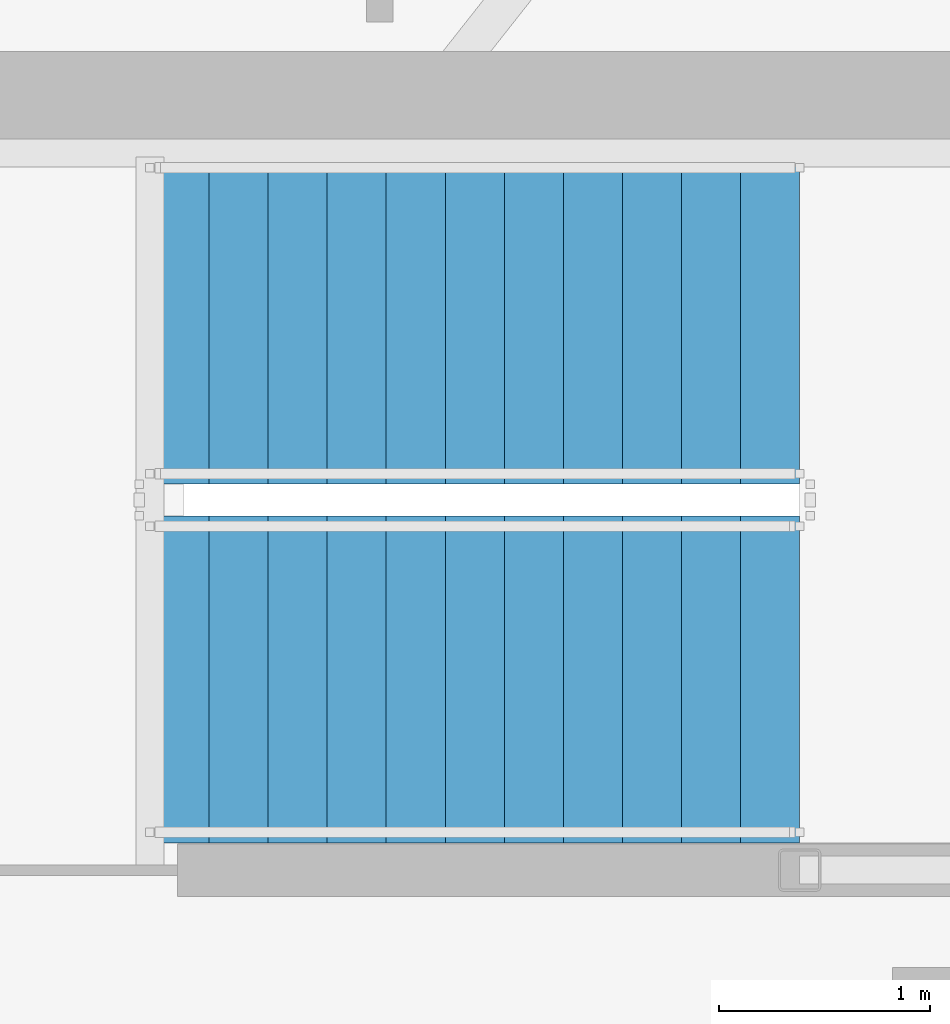
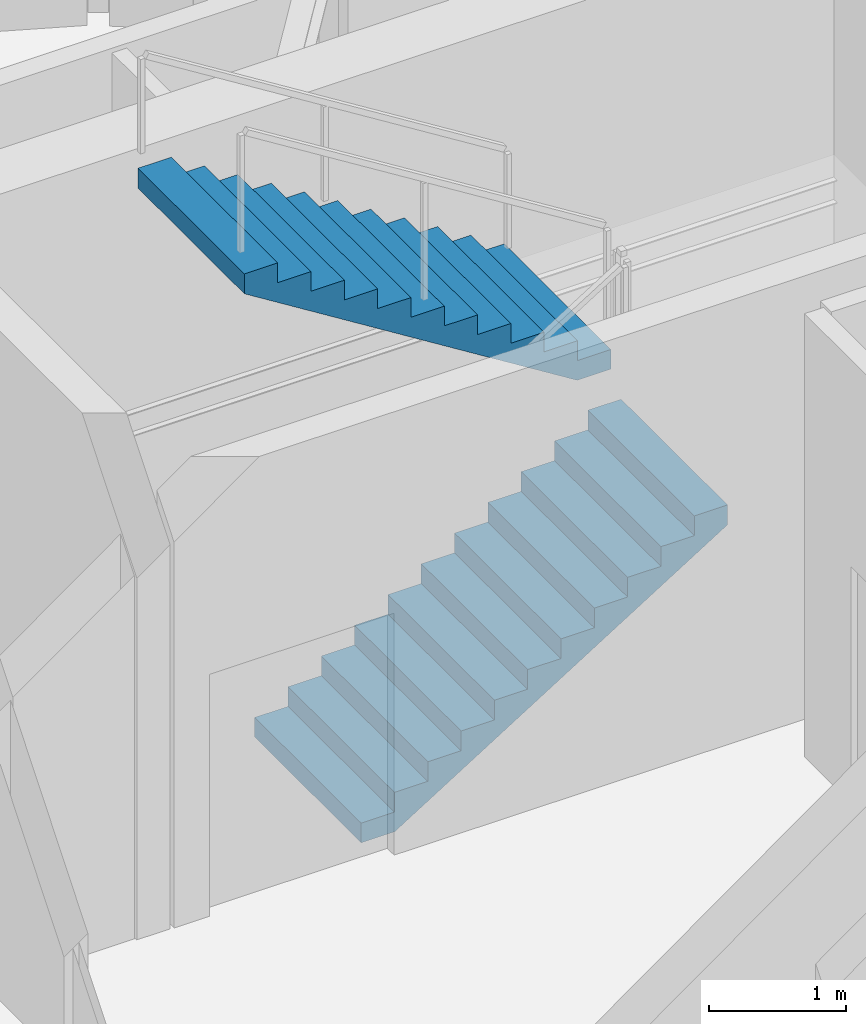
# One storey, part 15 of 16: 2 stair flights, 1 element without a shape of its own.
"""IFC4 building model written with IfcOpenShell, lengths in metres."""

import ifcopenshell
import ifcopenshell.guid

model = None  # the IFC model being written
_history = None  # IfcOwnerHistory: only IFC2X3 demands one
_inside = {}  # id of a spatial element -> (the spatial element, [elements in it])
_under = {}  # id of a project, library or spatial element -> (it, [spatial elements below it])
_declared = {}  # id of a project -> (the project, [libraries it declares])
_typed = {}  # id of a type object -> (the type object, [elements of that type])
_made_of = {}  # id of a material, layer set ... -> (it, [elements and type objects made of it])


def new_model(schema):
    """Start an empty IFC model of exactly this schema.

    Asked for "IFC4X3", IfcOpenShell would pick the latest addendum, in which some entities
    have other attributes; the version numbers below select the first issue.
    IFC2X3 requires an IfcOwnerHistory on every rooted entity: one is made here for all.
    """
    global model, _history
    if schema == "IFC4X3":
        model = ifcopenshell.file(schema_version=(4, 3, 0, 0))
    else:
        model = ifcopenshell.file(schema=schema)
    _inside.clear()
    _under.clear()
    _declared.clear()
    _typed.clear()
    _made_of.clear()
    _history = None
    if model.schema == "IFC2X3":
        org = make("IfcOrganization", Name="unknown")
        user = make(
            "IfcPersonAndOrganization",
            ThePerson=make("IfcPerson", FamilyName="unknown"),
            TheOrganization=org,
        )
        app = make(
            "IfcApplication",
            ApplicationDeveloper=org,
            Version="unknown",
            ApplicationFullName="unknown",
            ApplicationIdentifier="unknown",
        )
        _history = make(
            "IfcOwnerHistory",
            OwningUser=user,
            OwningApplication=app,
            ChangeAction="ADDED",
            CreationDate=0,
        )
    return model


def make(cls, **values):
    """One entity of the class cls with the attributes given. An attribute that is None is left unset."""
    return model.create_entity(
        cls, **{name: value for name, value in values.items() if value is not None}
    )


def rooted(cls, **values):
    """An entity with a GlobalId (a new one), such as an element, a storey or a relation."""
    return make(cls, GlobalId=ifcopenshell.guid.new(), OwnerHistory=_history, **values)


def si_unit(unit_type, name, prefix=None):
    """IfcSIUnit, for example si_unit("LENGTHUNIT", "METRE", prefix="MILLI")."""
    return make("IfcSIUnit", UnitType=unit_type, Prefix=prefix, Name=name)


def assignment(units):
    """IfcUnitAssignment: the units of a project."""
    return None if units is None else make("IfcUnitAssignment", Units=units)


def point(xyz):
    """IfcCartesianPoint."""
    return None if xyz is None else make("IfcCartesianPoint", Coordinates=xyz)


def direction(xyz):
    """IfcDirection."""
    return None if xyz is None else make("IfcDirection", DirectionRatios=xyz)


def frame(location, z_axis=None, x_axis=None):
    """IfcAxis2Placement3D, a coordinate frame: its origin and axes. An axis left out is left unset."""
    return make(
        "IfcAxis2Placement3D",
        Location=point(location),
        Axis=direction(z_axis),
        RefDirection=direction(x_axis),
    )


def origin():
    """The frame at (0, 0, 0) with its axes left unset."""
    return frame((0.0, 0.0, 0.0))


def place(relative_to, where):
    """IfcLocalPlacement: puts the frame where relative to a parent placement (None: the world)."""
    return make(
        "IfcLocalPlacement", PlacementRelTo=relative_to, RelativePlacement=where
    )


def context(
    kind, dimensions, precision=None, world=None, true_north=None, identifier=None
):
    """IfcGeometricRepresentationContext, for example the 3D "Model" context."""
    return make(
        "IfcGeometricRepresentationContext",
        ContextIdentifier=identifier,
        ContextType=kind,
        CoordinateSpaceDimension=dimensions,
        Precision=precision,
        WorldCoordinateSystem=world,
        TrueNorth=true_north,
    )


def subcontext(parent, identifier, kind, view, scale=None):
    """IfcGeometricRepresentationSubContext, for example "Body" below "Model"."""
    return make(
        "IfcGeometricRepresentationSubContext",
        ContextIdentifier=identifier,
        ContextType=kind,
        ParentContext=parent,
        TargetScale=scale,
        TargetView=view,
    )


def project(units=None, contexts=None):
    """IfcProject with its units and contexts."""
    return rooted(
        "IfcProject",
        Name="project",
        RepresentationContexts=contexts,
        UnitsInContext=assignment(units),
    )


def spatial(cls, under=None, at=None, **own):
    """A site, building, storey or space (cls), placed at a placement, below another one or the project."""
    s = rooted(cls, ObjectPlacement=at, **own)
    if under is not None:
        _under.setdefault(under.id(), (under, []))[1].append(s)
    return s


def polyline(points):
    """IfcPolyline through the points."""
    return make("IfcPolyline", Points=[point(p) for p in points])


def outline(outer, holes=None, kind="AREA"):
    """IfcArbitraryClosedProfileDef: a profile drawn as a closed curve; with holes, ...WithVoids."""
    if holes is None:
        return make("IfcArbitraryClosedProfileDef", ProfileType=kind, OuterCurve=outer)
    return make(
        "IfcArbitraryProfileDefWithVoids",
        ProfileType=kind,
        OuterCurve=outer,
        InnerCurves=holes,
    )


def extrude(swept, where, along, depth):
    """IfcExtrudedAreaSolid: the profile swept, set in the frame where, extruded along a direction by depth."""
    return make(
        "IfcExtrudedAreaSolid",
        SweptArea=swept,
        Position=where,
        ExtrudedDirection=direction(along),
        Depth=depth,
    )


def shape(context_of_items, identifier, shape_type, items):
    """IfcShapeRepresentation: the items that make up one representation, for example the "Body"."""
    return make(
        "IfcShapeRepresentation",
        ContextOfItems=context_of_items,
        RepresentationIdentifier=identifier,
        RepresentationType=shape_type,
        Items=items,
    )


def material(Name=None, Category=None):
    """IfcMaterial."""
    return make("IfcMaterial", Name=Name, Category=Category)


def made_of(thing, what):
    """Note that an element or type object is made of a material, layer set ...; save() writes the relation."""
    if what is not None:
        _made_of.setdefault(what.id(), (what, []))[1].append(thing)
    return thing


def type_object(cls, material=None, **own):
    """A type object (cls), such as IfcWallType, which elements share."""
    return made_of(rooted(cls, **own), material)


def element(
    cls,
    number,
    at=None,
    inside=None,
    cuts=None,
    type_object=None,
    material=None,
    context=None,
    identifier="Body",
    shape_type=None,
    held_by="IfcProductDefinitionShape",
    body=None,
    shapes=None,
    **own,
):
    """One element of the class cls, such as IfcWall. Its Tag is "e" and its number.

    at: its placement. inside: the storey or other place that contains it. cuts: it is an
    opening in that element (IfcRelVoidsElement). A single representation is given by context,
    identifier, shape_type and body (its items); several are given by shapes. held_by: the class
    of the entity that holds the representations. save() writes the other relations.
    """
    e = rooted(cls, Tag="e%d" % number, ObjectPlacement=at, **own)
    if body is not None:
        shapes = [shape(context, identifier, shape_type, body)]
    if shapes is not None:
        e.Representation = make(held_by, Representations=shapes)
    if inside is not None:
        _inside.setdefault(inside.id(), (inside, []))[1].append(e)
    if cuts is not None:
        rooted(
            "IfcRelVoidsElement", RelatingBuildingElement=cuts, RelatedOpeningElement=e
        )
    if type_object is not None:
        _typed.setdefault(type_object.id(), (type_object, []))[1].append(e)
    return made_of(e, material)


def aggregate(whole, parts):
    """IfcRelAggregates: a whole, such as a stair, and the parts it consists of."""
    return rooted("IfcRelAggregates", RelatingObject=whole, RelatedObjects=parts)


def save(model, path):
    """Write the relations noted so far, then the file.

    IfcRelAggregates (storeys below a building ...), IfcRelContainedInSpatialStructure (elements
    in a storey), IfcRelDefinesByType, IfcRelAssociatesMaterial and IfcRelDeclares: one each for
    every whole, place, type object, material and project.
    """
    for whole, parts in _under.values():
        aggregate(whole, parts)
    for where, things in _inside.values():
        rooted(
            "IfcRelContainedInSpatialStructure",
            RelatedElements=things,
            RelatingStructure=where,
        )
    for kind, things in _typed.values():
        rooted("IfcRelDefinesByType", RelatedObjects=things, RelatingType=kind)
    for what, things in _made_of.values():
        rooted("IfcRelAssociatesMaterial", RelatedObjects=things, RelatingMaterial=what)
    for by, libraries in _declared.values():
        rooted("IfcRelDeclares", RelatingContext=by, RelatedDefinitions=libraries)
    model.write(path)


model = new_model("IFC4")

# Units and contexts
model_context = context("Model", 3, precision=1e-05, world=origin(), true_north=direction((0.0, 1.0)))
body_context = subcontext(model_context, "Body", "Model", "MODEL_VIEW")
ifc_project = project(units=[si_unit("LENGTHUNIT", "METRE"), si_unit("AREAUNIT", "SQUARE_METRE"), si_unit("VOLUMEUNIT", "CUBIC_METRE"), si_unit("PLANEANGLEUNIT", "RADIAN"), si_unit("MASSUNIT", "GRAM", prefix="KILO")], contexts=[model_context])

# Site, building, storey
site_placement = place(None, origin())
site = spatial("IfcSite", under=ifc_project, at=site_placement, CompositionType="ELEMENT")
building_placement = place(site_placement, origin())
building = spatial("IfcBuilding", under=site, at=building_placement, Name="Kazma Halo Residences", CompositionType="ELEMENT")
storey_placement = place(building_placement, frame((0.0, 0.0, 313.699951171875)))
storey = spatial("IfcBuildingStorey", under=building, at=storey_placement, Name="L79", CompositionType="ELEMENT", Elevation=313.699951171875)

# Stair, stair flights
ifc_material = material(Name="Concrete C50/60", Category="concrete")
stair_type = type_object("IfcStairType", Name="STR-RES2", PredefinedType="HALF_TURN_STAIR", material=ifc_material)
stair_placement = place(storey_placement, origin())
stair = element("IfcStair", 1, at=stair_placement, inside=storey, type_object=stair_type, Name="L79 Core exit stair ST-02", PredefinedType="HALF_TURN_STAIR")
stair_flight_type = type_object("IfcStairFlightType", Name="STR-RES2-FLT", PredefinedType="STRAIGHT", material=ifc_material)
stair_flight_1_placement = place(storey_placement, frame((53.199951171875, 47.52490234375, 0.0), z_axis=(0.0, 0.0, 1.0), x_axis=(1.0, 0.0, 0.0)))
stair_flight_1 = element("IfcStairFlight", 2, at=stair_flight_1_placement, type_object=stair_flight_type, Name="ST-02 flight 1", NumberOfRisers=12, NumberOfTreads=11, PredefinedType="STRAIGHT", RiserHeight=0.175, TreadLength=0.28, context=body_context, shape_type="SweptSolid", body=[
    extrude(outline(polyline([(0.0, 0.0), (0.0, 0.175048828125), (0.280029296875, 0.175048828125), (0.280029296875, 0.35009765625), (0.56005859375, 0.35009765625), (0.56005859375, 0.52490234375), (0.840087890625, 0.52490234375), (0.840087890625, 0.699951171875), (1.1201171875, 0.699951171875), (1.1201171875, 0.875), (1.39990234375, 0.875), (1.39990234375, 1.050048828125), (1.679931640625, 1.050048828125), (1.679931640625, 1.22509765625), (1.9599609375, 1.22509765625), (1.9599609375, 1.39990234375), (2.239990234375, 1.39990234375), (2.239990234375, 1.574951171875), (2.52001953125, 1.574951171875), (2.52001953125, 1.75), (2.800048828125, 1.75), (2.800048828125, 1.925048828125), (3.080078125, 1.925048828125), (3.080078125, 2.10009765625), (3.080078125, 1.748291015625), (0.28271484375, 0.0), (0.0, 0.0)])), frame((0.0, 0.77490234375, 0.0), z_axis=(0.0, -1.0, 0.0), x_axis=(1.0, 0.0, 0.0)), (0.0, 0.0, 1.0), 1.550048828125),
])
stair_flight_2_placement = place(storey_placement, frame((56.280029296875, 49.22509765625, 2.10009765625), z_axis=(0.0, 0.0, 1.0), x_axis=(-1.0, 0.0, 0.0)))
stair_flight_2 = element("IfcStairFlight", 3, at=stair_flight_2_placement, type_object=stair_flight_type, Name="ST-02 flight 2", NumberOfRisers=12, NumberOfTreads=11, PredefinedType="STRAIGHT", RiserHeight=0.175, TreadLength=0.28, context=body_context, shape_type="SweptSolid", body=[
    extrude(outline(polyline([(0.0, 0.0), (0.0, 0.175048828125), (0.280029296875, 0.175048828125), (0.280029296875, 0.35009765625), (0.56005859375, 0.35009765625), (0.56005859375, 0.52490234375), (0.840087890625, 0.52490234375), (0.840087890625, 0.699951171875), (1.1201171875, 0.699951171875), (1.1201171875, 0.875), (1.39990234375, 0.875), (1.39990234375, 1.050048828125), (1.679931640625, 1.050048828125), (1.679931640625, 1.22509765625), (1.9599609375, 1.22509765625), (1.9599609375, 1.39990234375), (2.239990234375, 1.39990234375), (2.239990234375, 1.574951171875), (2.52001953125, 1.574951171875), (2.52001953125, 1.75), (2.800048828125, 1.75), (2.800048828125, 1.925048828125), (3.080078125, 1.925048828125), (3.080078125, 2.10009765625), (3.080078125, 1.748291015625), (0.28271484375, 0.0), (0.0, 0.0)])), frame((0.0, 0.77490234375, 0.0), z_axis=(0.0, -1.0, 0.0), x_axis=(1.0, 0.0, 0.0)), (0.0, 0.0, 1.0), 1.550048828125),
])
aggregate(stair, [stair_flight_1, stair_flight_2])

save(model, "model.ifc")
